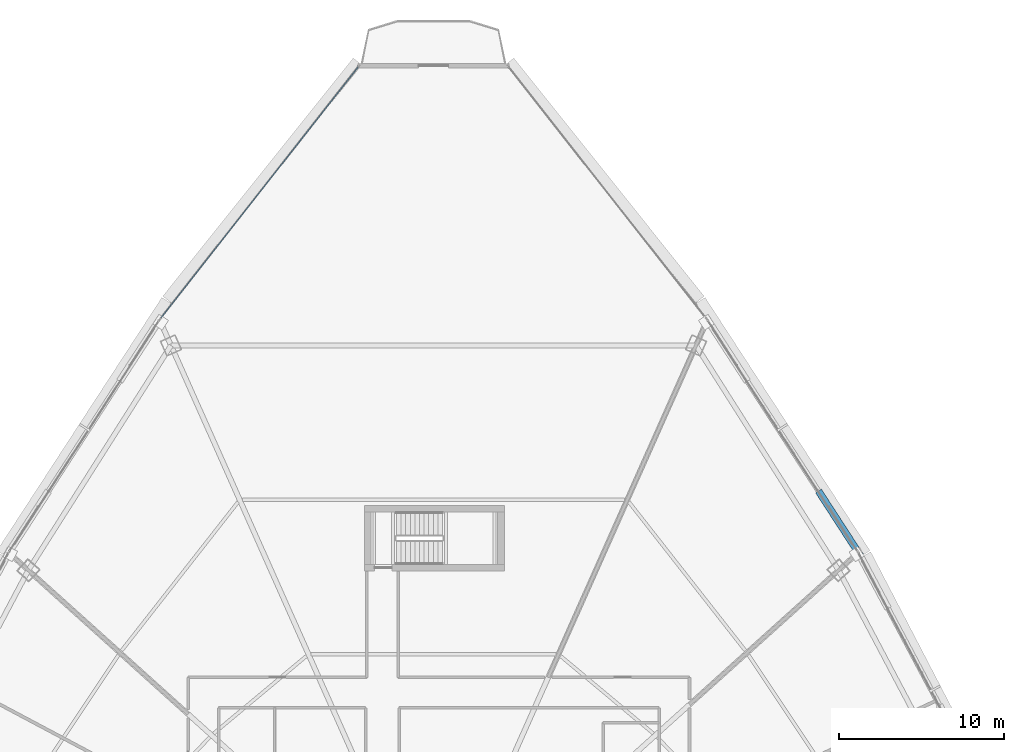
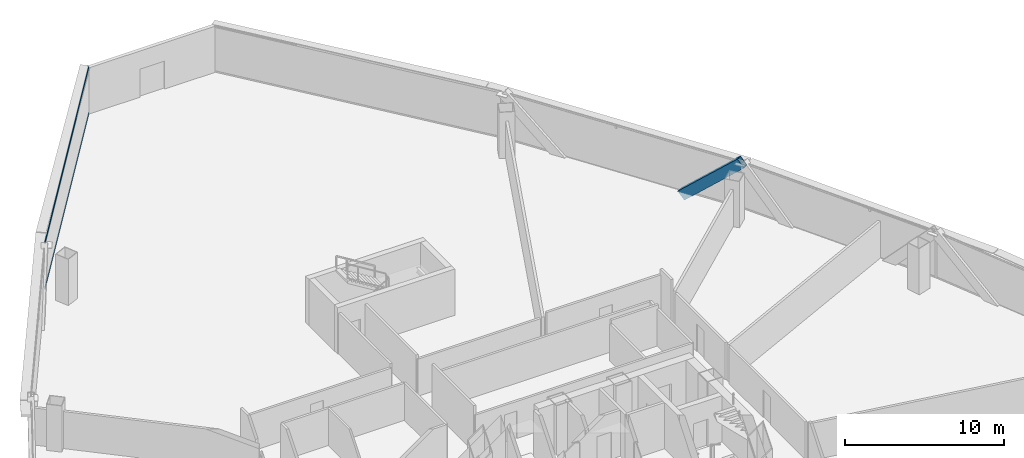
# One storey, part 25 of 36: 3 members, 1 element without a shape of its own.
"""IFC4 building model written with IfcOpenShell, lengths in metres."""

from ifc_helpers import new_model, si_unit, direction, frame, origin, origin_2d, place, context, subcontext, project, spatial, hollow_rectangle, extrude, source, transform, mapped, material, layer, layer_set, material_profile, profile_set, type_object, element, aggregate, save


model = new_model("IFC4")

# Units and contexts
model_context = context("Model", 3, precision=1e-05, world=origin(), true_north=direction((0.0, 1.0)))
body_context = subcontext(model_context, "Body", "Model", "MODEL_VIEW")
ifc_project = project(units=[si_unit("LENGTHUNIT", "METRE"), si_unit("AREAUNIT", "SQUARE_METRE"), si_unit("VOLUMEUNIT", "CUBIC_METRE"), si_unit("PLANEANGLEUNIT", "RADIAN"), si_unit("MASSUNIT", "GRAM", prefix="KILO"), si_unit("THERMODYNAMICTEMPERATUREUNIT", "KELVIN"), si_unit("POWERUNIT", "WATT")], contexts=[model_context])

# Site, building, storey
site_placement = place(None, origin())
site = spatial("IfcSite", under=ifc_project, at=site_placement, CompositionType="ELEMENT")
building_placement = place(site_placement, origin())
building = spatial("IfcBuilding", under=site, at=building_placement, Name="Yunzhuo Pagoda Commons", CompositionType="ELEMENT")
storey_placement = place(building_placement, frame((0.0, 0.0, 107.780029296875)))
storey = spatial("IfcBuildingStorey", under=building, at=storey_placement, Name="L27", CompositionType="ELEMENT", Elevation=107.780029296875)

# Member
ifc_material_1 = material(Name="Structural steel Q420B", Category="steel")
ifc_material_profile_1 = material_profile(ifc_material_1, hollow_rectangle(XDim=0.419921875, YDim=0.719970703125, WallThickness=0.028076171875, at=origin_2d()), Name="Structural steel Q420B")
ifc_profile_set_1 = profile_set([ifc_material_profile_1], Name="Structural steel Q420B")
member_type_1 = type_object("IfcMemberType", Name="M-DL1 Brace BOX 720x420x28", PredefinedType="BRACE", material=ifc_profile_set_1)
shared_shape_1 = source(origin(), body_context, "Body", "SweptSolid", [
    extrude(hollow_rectangle(XDim=0.419921875, YDim=0.719970703125, WallThickness=0.028076171875, at=origin_2d()), origin(), (0.0, 0.0, 1.0), 5.67236328125),
])
member_1_placement = place(storey_placement, frame((71.510009765625, 60.465087890625, -0.259765625), z_axis=(0.403982893024, -0.622932496349, 0.66989023514), x_axis=(0.839011355939, 0.544113907748, 0.0)))
element("IfcMember", 1, at=member_1_placement, inside=storey, type_object=member_type_1, Name="L27 facade diamond brace F2.3L", PredefinedType="BRACE", context=body_context, shape_type="MappedRepresentation", body=[
    mapped(shared_shape_1, transform((0.0, 0.0, 0.0), scale=1.0)),
])

# Curtain wall, members
ifc_material_2 = material(Name="Anodized aluminium 6063-T6", Category="aluminium")
ifc_layer = layer(ifc_material_2, 0.1650390625)
ifc_layer_set = layer_set([ifc_layer], Name="Anodized aluminium 6063-T6")
curtain_wall_type = type_object("IfcCurtainWallType", Name="CW-LOW Low-Zone Ribbon Curtain Wall", PredefinedType="NOTDEFINED", material=ifc_layer_set)
curtain_wall_placement = place(storey_placement, origin())
curtain_wall = element("IfcCurtainWall", 2, at=curtain_wall_placement, inside=storey, type_object=curtain_wall_type, Name="L27 curtain wall CW-L27-F3B1", PredefinedType="NOTDEFINED")
ifc_material_profile_2 = material_profile(ifc_material_2, hollow_rectangle(XDim=0.06005859375, YDim=0.139892578125, WallThickness=0.00341796875, at=origin_2d()), Name="Anodized aluminium 6063-T6")
ifc_profile_set_2 = profile_set([ifc_material_profile_2], Name="Anodized aluminium 6063-T6")
member_type_2 = type_object("IfcMemberType", Name="CW-LOW-T Transom RHS 140x60x3.5", PredefinedType="USERDEFINED", material=ifc_profile_set_2)
shared_shape_2 = source(origin(), body_context, "Body", "SweptSolid", [
    extrude(hollow_rectangle(XDim=0.06005859375, YDim=0.139892578125, WallThickness=0.00341796875, at=origin_2d()), origin(), (0.0, 0.0, 1.0), 19.41015625),
])
member_2_placement = place(storey_placement, frame((43.442626953125, 86.43798828125, 0.030029296875), z_axis=(-0.61784377149, -0.78630088009, 0.0), x_axis=(0.78630088009, -0.61784377149, 0.0)))
member_2 = element("IfcMember", 3, at=member_2_placement, type_object=member_type_2, Name="CW transom 1.1", ObjectType="TRANSOM", PredefinedType="USERDEFINED", context=body_context, shape_type="MappedRepresentation", body=[
    mapped(shared_shape_2, transform((0.0, 0.0, 0.0), scale=1.0)),
])
member_3_placement = place(storey_placement, frame((43.442626953125, 86.43798828125, 3.510009765625), z_axis=(-0.61784377149, -0.78630088009, 0.0), x_axis=(0.78630088009, -0.61784377149, 0.0)))
member_3 = element("IfcMember", 4, at=member_3_placement, type_object=member_type_2, Name="CW transom 1.2", ObjectType="TRANSOM", PredefinedType="USERDEFINED", context=body_context, shape_type="MappedRepresentation", body=[
    mapped(shared_shape_2, transform((0.0, 0.0, 0.0), scale=1.0)),
])
aggregate(curtain_wall, [member_2, member_3])

save(model, "model.ifc")
